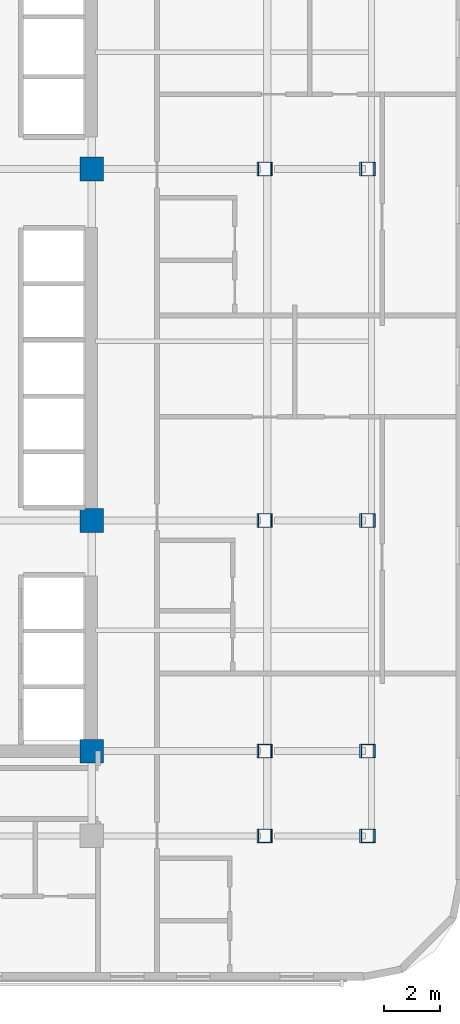
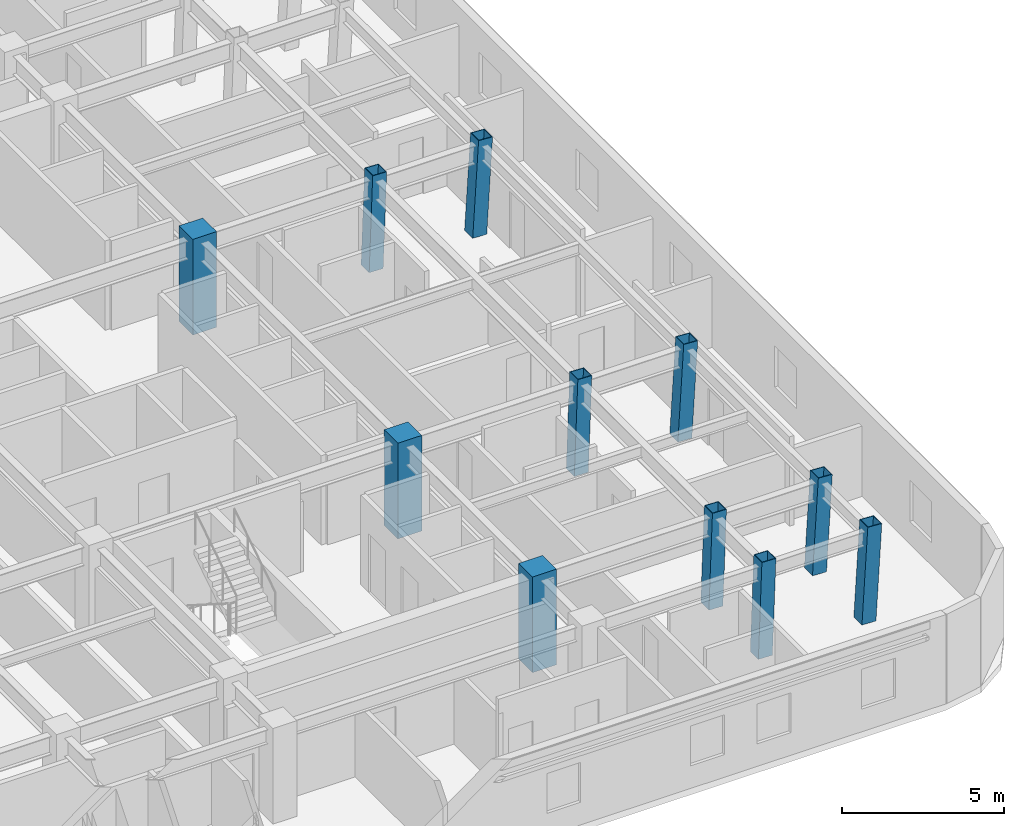
# One storey, part 2 of 14: 11 columns.
"""IFC4 building model written with IfcOpenShell, lengths in metres."""

from ifc_helpers import new_model, si_unit, direction, frame, origin, origin_2d, place, context, subcontext, project, spatial, rectangle, hollow_rectangle, extrude, material, material_profile, profile_set, type_object, element, save


model = new_model("IFC4")

# Units and contexts
model_context = context("Model", 3, precision=1e-05, world=origin(), true_north=direction((0.0, 1.0)))
body_context = subcontext(model_context, "Body", "Model", "MODEL_VIEW")
ifc_project = project(units=[si_unit("LENGTHUNIT", "METRE"), si_unit("AREAUNIT", "SQUARE_METRE"), si_unit("VOLUMEUNIT", "CUBIC_METRE"), si_unit("PLANEANGLEUNIT", "RADIAN"), si_unit("MASSUNIT", "GRAM", prefix="KILO")], contexts=[model_context])

# Site, building, storey
site_placement = place(None, origin())
site = spatial("IfcSite", under=ifc_project, at=site_placement, CompositionType="ELEMENT")
building_placement = place(site_placement, origin())
building = spatial("IfcBuilding", under=site, at=building_placement, Name="Ochreholt Gables", CompositionType="ELEMENT")
storey_placement = place(building_placement, frame((0.0, 0.0, 42.0)))
storey = spatial("IfcBuildingStorey", under=building, at=storey_placement, Name="L10", CompositionType="ELEMENT", Elevation=42.0)

# Columns
ifc_material_1 = material(Name="Steel CSA G40.21 350W", Category="steel")
ifc_material_profile_1 = material_profile(ifc_material_1, hollow_rectangle(XDim=0.5, YDim=0.5, WallThickness=0.02197265625, at=origin_2d()), Name="HSS500X500X22")
ifc_profile_set_1 = profile_set([ifc_material_profile_1], Name="Steel CSA G40.21 350W")
column_type_1 = type_object("IfcColumnType", Name="COL-HSS500-RAK", PredefinedType="COLUMN", material=ifc_profile_set_1)
for number, where, z_axis, x_axis, name in (
    (1, (41.406005859375, 9.25, 0.0), (0.034971136209, 0.0, 0.999388322742), (0.0, 1.0, 0.0), "L10 Column EMY2"),
    (2, (41.406005859375, 17.550048828125, 0.0), (0.034971136209, 0.0, 0.999388322742), (0.0, 1.0, 0.0), "L10 Column EMY3"),
    (3, (41.406005859375, 30.199951171875, 0.0), (0.034971136209, 0.0, 0.999388322742), (0.0, 1.0, 0.0), "L10 Column EMY4"),
):
    element("IfcColumn", number, at=place(storey_placement, frame(where, z_axis=z_axis, x_axis=x_axis)), inside=storey, type_object=column_type_1, Name=name, PredefinedType="COLUMN", context=body_context, shape_type="SweptSolid", body=[
        extrude(hollow_rectangle(XDim=0.5, YDim=0.5, WallThickness=0.02197265625, at=origin_2d()), origin(), (0.0, 0.0, 1.0), 3.602294921875),
    ])
ifc_material_profile_2 = material_profile(ifc_material_1, hollow_rectangle(XDim=0.5, YDim=0.5, WallThickness=0.02197265625, at=origin_2d()), Name="HSS500X500X22")
ifc_profile_set_2 = profile_set([ifc_material_profile_2], Name="Steel CSA G40.21 350W")
column_type_2 = type_object("IfcColumnType", Name="COL-HSS500-RAKE", PredefinedType="COLUMN", material=ifc_profile_set_2)
column_placement = place(storey_placement, frame((41.406005859375, 6.199951171875, 0.0), z_axis=(0.034971136209, 0.0, 0.999388322742), x_axis=(0.0, 1.0, 0.0)))
element("IfcColumn", 4, at=column_placement, inside=storey, type_object=column_type_2, Name="L10 Column EMY1", PredefinedType="COLUMN", context=body_context, shape_type="SweptSolid", body=[
    extrude(hollow_rectangle(XDim=0.5, YDim=0.5, WallThickness=0.02197265625, at=origin_2d()), origin(), (0.0, 0.0, 1.0), 3.602294921875),
])
for number, where, z_axis, x_axis, name in (
    (5, (45.0927734375, 6.199951171875, 0.0), (0.057884606321, 0.0, 0.998323280481), (0.0, 1.0, 0.0), "L10 Column EEY1"),
    (6, (45.0927734375, 9.25, 0.0), (0.057884606321, 0.0, 0.998323280481), (0.0, 1.0, 0.0), "L10 Column EEY2"),
    (7, (45.0927734375, 17.550048828125, 0.0), (0.057884606321, 0.0, 0.998323280481), (0.0, 1.0, 0.0), "L10 Column EEY3"),
    (8, (45.0927734375, 30.199951171875, 0.0), (0.057884606321, 0.0, 0.998323280481), (0.0, 1.0, 0.0), "L10 Column EEY4"),
):
    element("IfcColumn", number, at=place(storey_placement, frame(where, z_axis=z_axis, x_axis=x_axis)), inside=storey, type_object=column_type_2, Name=name, PredefinedType="COLUMN", context=body_context, shape_type="SweptSolid", body=[
        extrude(hollow_rectangle(XDim=0.5, YDim=0.5, WallThickness=0.02197265625, at=origin_2d()), origin(), (0.0, 0.0, 1.0), 3.606201171875),
    ])
ifc_material_2 = material(Name="Concrete 60 MPa", Category="concrete")
ifc_material_profile_3 = material_profile(ifc_material_2, rectangle(XDim=0.85009765625, YDim=0.85009765625, at=origin_2d()), Name="RC850X850")
ifc_profile_set_3 = profile_set([ifc_material_profile_3], Name="Concrete 60 MPa")
column_type_3 = type_object("IfcColumnType", Name="COL-RC850-INT", PredefinedType="COLUMN", material=ifc_profile_set_3)
for number, where, z_axis, x_axis, name in (
    (9, (35.199951171875, 9.25, 0.0), (0.0, 0.0, 1.0), (1.0, 0.0, 0.0), "L10 Column C2Y2"),
    (10, (35.199951171875, 17.550048828125, 0.0), (0.0, 0.0, 1.0), (1.0, 0.0, 0.0), "L10 Column C2Y3"),
    (11, (35.199951171875, 30.199951171875, 0.0), (0.0, 0.0, 1.0), (1.0, 0.0, 0.0), "L10 Column C2Y4"),
):
    element("IfcColumn", number, at=place(storey_placement, frame(where, z_axis=z_axis, x_axis=x_axis)), inside=storey, type_object=column_type_3, Name=name, PredefinedType="COLUMN", context=body_context, shape_type="SweptSolid", body=[
        extrude(rectangle(XDim=0.85009765625, YDim=0.85009765625, at=origin_2d()), origin(), (0.0, 0.0, 1.0), 3.60009765625),
    ])

save(model, "model.ifc")
